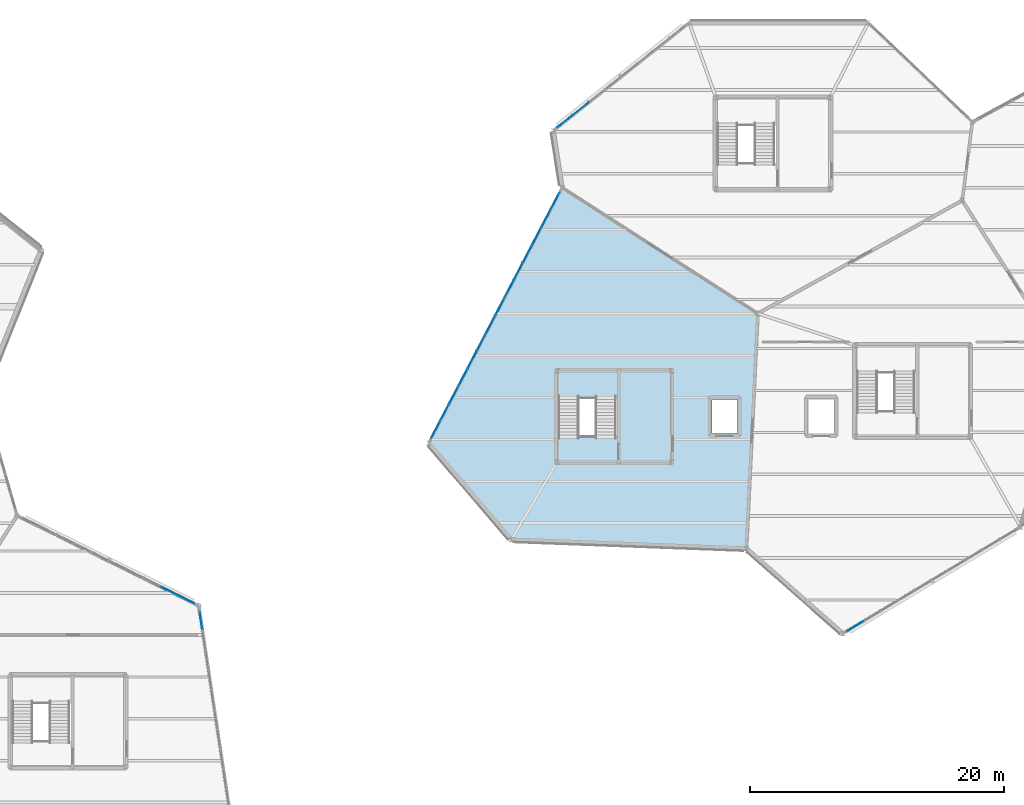
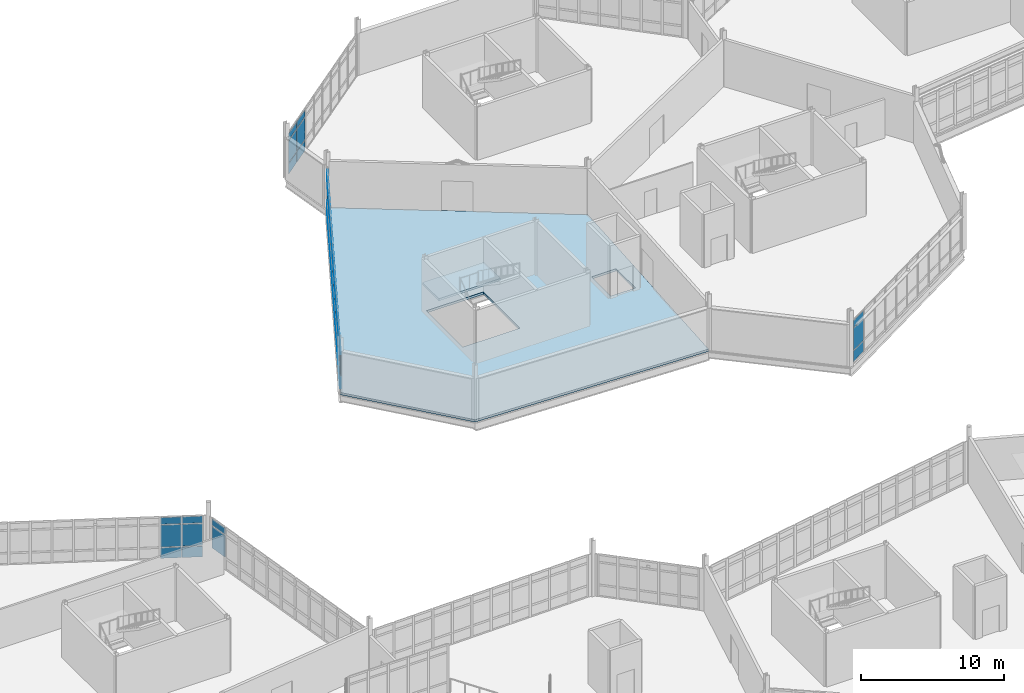
# One storey, part 78 of 114: 59 plates, 2 slabs, 6 elements without a shape of their own.
"""IFC4 building model written with IfcOpenShell, lengths in metres."""

from ifc_helpers import new_model, si_unit, direction, frame, origin, origin_2d, place, context, subcontext, project, spatial, polyline, rectangle, outline, extrude, material, layer, layer_set, type_object, element, aggregate, save


model = new_model("IFC4")

# Units and contexts
model_context = context("Model", 3, precision=1e-05, world=origin(), true_north=direction((0.0, 1.0)))
body_context = subcontext(model_context, "Body", "Model", "MODEL_VIEW")
ifc_project = project(units=[si_unit("LENGTHUNIT", "METRE"), si_unit("AREAUNIT", "SQUARE_METRE"), si_unit("VOLUMEUNIT", "CUBIC_METRE"), si_unit("PLANEANGLEUNIT", "RADIAN"), si_unit("MASSUNIT", "GRAM", prefix="KILO")], contexts=[model_context])

# Site, building, storey
site_placement = place(None, origin())
site = spatial("IfcSite", under=ifc_project, at=site_placement, CompositionType="ELEMENT")
building_placement = place(site_placement, origin())
building = spatial("IfcBuilding", under=site, at=building_placement, Name="Tameran Prism Museum", CompositionType="ELEMENT")
storey_placement = place(building_placement, frame((0.0, 0.0, 10.199951171875)))
storey = spatial("IfcBuildingStorey", under=building, at=storey_placement, Name="L02", CompositionType="ELEMENT", Elevation=10.199951171875)

# Curtain wall, plates
ifc_material_1 = material(Name="Anodised Aluminium 6063-T6 and Cyclone Solar Glass", Category="aluminium")
curtain_wall_type_1 = type_object("IfcCurtainWallType", Name="CW-FAC-1563x362", PredefinedType="USERDEFINED", material=ifc_material_1)
curtain_wall_1_placement = place(storey_placement, origin())
curtain_wall_1 = element("IfcCurtainWall", 1, at=curtain_wall_1_placement, inside=storey, type_object=curtain_wall_type_1, Name="Unitised Curtain Wall CW-099", ObjectType="UNITISED CURTAIN WALL", PredefinedType="USERDEFINED")
ifc_material_2 = material(Name="Low-E Laminated Solar Glass", Category="glass")
ifc_layer_1 = layer(ifc_material_2, 0.028076171875)
ifc_layer_set_1 = layer_set([ifc_layer_1])
plate_type_1 = type_object("IfcPlateType", Name="CW-PNL-G28", PredefinedType="CURTAIN_PANEL", material=ifc_layer_set_1)
plate_1_placement = place(storey_placement, frame((126.48388671875, 64.490478515625, 0.06494140625), z_axis=(0.0, 0.0, 1.0), x_axis=(-0.857492925713, -0.514495755426, 0.0)))
plate_1 = element("IfcPlate", 2, at=plate_1_placement, type_object=plate_type_1, Name="CW-099 panel 10.1", PredefinedType="CURTAIN_PANEL", context=body_context, shape_type="SweptSolid", body=[
    extrude(rectangle(XDim=1.465087890625, YDim=0.028076171875, at=origin_2d()), origin(), (0.0, 0.0, 1.0), 0.902587890625),
])
plate_2_placement = place(storey_placement, frame((126.48388671875, 64.490478515625, 1.032470703125), z_axis=(0.0, 0.0, 1.0), x_axis=(-0.857492925713, -0.514495755426, 0.0)))
plate_2 = element("IfcPlate", 3, at=plate_2_placement, type_object=plate_type_1, Name="CW-099 panel 10.2", PredefinedType="CURTAIN_PANEL", context=body_context, shape_type="SweptSolid", body=[
    extrude(rectangle(XDim=1.465087890625, YDim=0.028076171875, at=origin_2d()), origin(), (0.0, 0.0, 1.0), 1.875),
])
plate_3_placement = place(storey_placement, frame((126.48388671875, 64.490478515625, 2.97265625), z_axis=(0.0, 0.0, 1.0), x_axis=(-0.857492925713, -0.514495755426, 0.0)))
plate_3 = element("IfcPlate", 4, at=plate_3_placement, type_object=plate_type_1, Name="CW-099 panel 10.3", PredefinedType="CURTAIN_PANEL", context=body_context, shape_type="SweptSolid", body=[
    extrude(rectangle(XDim=1.465087890625, YDim=0.028076171875, at=origin_2d()), origin(), (0.0, 0.0, 1.0), 0.58251953125),
])
aggregate(curtain_wall_1, [plate_1, plate_2, plate_3])

ifc_material_3 = material(Name="Anodised Aluminium 6063-T6 and Cyclone Solar Glass", Category="aluminium")
curtain_wall_type_2 = type_object("IfcCurtainWallType", Name="CW-FAC-1734x362", PredefinedType="USERDEFINED", material=ifc_material_3)
curtain_wall_2_placement = place(storey_placement, origin())
curtain_wall_2 = element("IfcCurtainWall", 5, at=curtain_wall_2_placement, inside=storey, type_object=curtain_wall_type_2, Name="Unitised Curtain Wall CW-114", ObjectType="UNITISED CURTAIN WALL", PredefinedType="USERDEFINED")
plate_4_placement = place(storey_placement, frame((74.97265625, 64.954833984375, 1.0400390625), z_axis=(0.0, 0.0, 1.0), x_axis=(0.149166532852, -0.988812088052, 0.0)))
plate_4 = element("IfcPlate", 6, at=plate_4_placement, type_object=plate_type_1, Name="CW-114 panel 1.2", PredefinedType="CURTAIN_PANEL", context=body_context, shape_type="SweptSolid", body=[
    extrude(rectangle(XDim=1.45654296875, YDim=0.028076171875, at=origin_2d()), origin(), (0.0, 0.0, 1.0), 1.860107421875),
])
plate_5_placement = place(storey_placement, frame((74.97265625, 64.954833984375, 2.97998046875), z_axis=(0.0, 0.0, 1.0), x_axis=(0.149166532852, -0.988812088052, 0.0)))
plate_5 = element("IfcPlate", 7, at=plate_5_placement, type_object=plate_type_1, Name="CW-114 panel 1.3", PredefinedType="CURTAIN_PANEL", context=body_context, shape_type="SweptSolid", body=[
    extrude(rectangle(XDim=1.45654296875, YDim=0.028076171875, at=origin_2d()), origin(), (0.0, 0.0, 1.0), 0.56005859375),
])
aggregate(curtain_wall_2, [plate_4, plate_5])

ifc_material_4 = material(Name="Anodised Aluminium 6063-T6 and Cyclone Solar Glass", Category="aluminium")
curtain_wall_type_3 = type_object("IfcCurtainWallType", Name="CW-FAC-2192x362", PredefinedType="USERDEFINED", material=ifc_material_4)
curtain_wall_3_placement = place(storey_placement, origin())
curtain_wall_3 = element("IfcCurtainWall", 8, at=curtain_wall_3_placement, inside=storey, type_object=curtain_wall_type_3, Name="Unitised Curtain Wall CW-098", ObjectType="UNITISED CURTAIN WALL", PredefinedType="USERDEFINED")
ifc_material_5 = material(Name="Cyclone Laminated Solar Glass", Category="glass")
ifc_layer_2 = layer(ifc_material_5, 0.031982421875)
ifc_layer_set_2 = layer_set([ifc_layer_2])
plate_type_2 = type_object("IfcPlateType", Name="CW-PNL-G32", PredefinedType="CURTAIN_PANEL", material=ifc_layer_set_2)
plate_6_placement = place(storey_placement, frame((93.43359375, 79.921630859375, 0.080078125), z_axis=(0.0, 0.0, 1.0), x_axis=(0.463002540551, 0.886356952612, 0.0)))
plate_6 = element("IfcPlate", 9, at=plate_6_placement, type_object=plate_type_2, Name="CW-098 panel 1.1", PredefinedType="CURTAIN_PANEL", context=body_context, shape_type="SweptSolid", body=[
    extrude(rectangle(XDim=1.445556640625, YDim=0.031982421875, at=origin_2d()), origin(), (0.0, 0.0, 1.0), 0.8798828125),
])
plate_7_placement = place(storey_placement, frame((93.43359375, 79.921630859375, 1.0400390625), z_axis=(0.0, 0.0, 1.0), x_axis=(0.463002540551, 0.886356952612, 0.0)))
plate_7 = element("IfcPlate", 10, at=plate_7_placement, type_object=plate_type_2, Name="CW-098 panel 1.2", PredefinedType="CURTAIN_PANEL", context=body_context, shape_type="SweptSolid", body=[
    extrude(rectangle(XDim=1.445556640625, YDim=0.031982421875, at=origin_2d()), origin(), (0.0, 0.0, 1.0), 1.860107421875),
])
plate_8_placement = place(storey_placement, frame((93.43359375, 79.921630859375, 2.97998046875), z_axis=(0.0, 0.0, 1.0), x_axis=(0.463002540551, 0.886356952612, 0.0)))
plate_8 = element("IfcPlate", 11, at=plate_8_placement, type_object=plate_type_2, Name="CW-098 panel 1.3", PredefinedType="CURTAIN_PANEL", context=body_context, shape_type="SweptSolid", body=[
    extrude(rectangle(XDim=1.445556640625, YDim=0.031982421875, at=origin_2d()), origin(), (0.0, 0.0, 1.0), 0.56005859375),
])
plate_9_placement = place(storey_placement, frame((94.149169921875, 81.29150390625, 0.080078125), z_axis=(0.0, 0.0, 1.0), x_axis=(0.463002540551, 0.886356952612, 0.0)))
plate_9 = element("IfcPlate", 12, at=plate_9_placement, type_object=plate_type_2, Name="CW-098 panel 2.1", PredefinedType="CURTAIN_PANEL", context=body_context, shape_type="SweptSolid", body=[
    extrude(rectangle(XDim=1.485595703125, YDim=0.031982421875, at=origin_2d()), origin(), (0.0, 0.0, 1.0), 0.8798828125),
])
plate_10_placement = place(storey_placement, frame((94.149169921875, 81.29150390625, 1.0400390625), z_axis=(0.0, 0.0, 1.0), x_axis=(0.463002540551, 0.886356952612, 0.0)))
plate_10 = element("IfcPlate", 13, at=plate_10_placement, type_object=plate_type_2, Name="CW-098 panel 2.2", PredefinedType="CURTAIN_PANEL", context=body_context, shape_type="SweptSolid", body=[
    extrude(rectangle(XDim=1.485595703125, YDim=0.031982421875, at=origin_2d()), origin(), (0.0, 0.0, 1.0), 1.860107421875),
])
plate_11_placement = place(storey_placement, frame((94.149169921875, 81.29150390625, 2.97998046875), z_axis=(0.0, 0.0, 1.0), x_axis=(0.463002540551, 0.886356952612, 0.0)))
plate_11 = element("IfcPlate", 14, at=plate_11_placement, type_object=plate_type_2, Name="CW-098 panel 2.3", PredefinedType="CURTAIN_PANEL", context=body_context, shape_type="SweptSolid", body=[
    extrude(rectangle(XDim=1.485595703125, YDim=0.031982421875, at=origin_2d()), origin(), (0.0, 0.0, 1.0), 0.56005859375),
])
plate_12_placement = place(storey_placement, frame((94.8740234375, 82.67919921875, 0.080078125), z_axis=(0.0, 0.0, 1.0), x_axis=(0.463002540551, 0.886356952612, 0.0)))
plate_12 = element("IfcPlate", 15, at=plate_12_placement, type_object=plate_type_2, Name="CW-098 panel 3.1", PredefinedType="CURTAIN_PANEL", context=body_context, shape_type="SweptSolid", body=[
    extrude(rectangle(XDim=1.485595703125, YDim=0.031982421875, at=origin_2d()), origin(), (0.0, 0.0, 1.0), 0.8798828125),
])
plate_13_placement = place(storey_placement, frame((94.8740234375, 82.67919921875, 1.0400390625), z_axis=(0.0, 0.0, 1.0), x_axis=(0.463002540551, 0.886356952612, 0.0)))
plate_13 = element("IfcPlate", 16, at=plate_13_placement, type_object=plate_type_2, Name="CW-098 panel 3.2", PredefinedType="CURTAIN_PANEL", context=body_context, shape_type="SweptSolid", body=[
    extrude(rectangle(XDim=1.485595703125, YDim=0.031982421875, at=origin_2d()), origin(), (0.0, 0.0, 1.0), 1.860107421875),
])
plate_14_placement = place(storey_placement, frame((94.8740234375, 82.67919921875, 2.97998046875), z_axis=(0.0, 0.0, 1.0), x_axis=(0.463002540551, 0.886356952612, 0.0)))
plate_14 = element("IfcPlate", 17, at=plate_14_placement, type_object=plate_type_2, Name="CW-098 panel 3.3", PredefinedType="CURTAIN_PANEL", context=body_context, shape_type="SweptSolid", body=[
    extrude(rectangle(XDim=1.485595703125, YDim=0.031982421875, at=origin_2d()), origin(), (0.0, 0.0, 1.0), 0.56005859375),
])
plate_15_placement = place(storey_placement, frame((95.59912109375, 84.066650390625, 0.080078125), z_axis=(0.0, 0.0, 1.0), x_axis=(0.463002540551, 0.886356952612, 0.0)))
plate_15 = element("IfcPlate", 18, at=plate_15_placement, type_object=plate_type_2, Name="CW-098 panel 4.1", PredefinedType="CURTAIN_PANEL", context=body_context, shape_type="SweptSolid", body=[
    extrude(rectangle(XDim=1.485595703125, YDim=0.031982421875, at=origin_2d()), origin(), (0.0, 0.0, 1.0), 0.8798828125),
])
plate_16_placement = place(storey_placement, frame((95.59912109375, 84.066650390625, 1.0400390625), z_axis=(0.0, 0.0, 1.0), x_axis=(0.463002540551, 0.886356952612, 0.0)))
plate_16 = element("IfcPlate", 19, at=plate_16_placement, type_object=plate_type_2, Name="CW-098 panel 4.2", PredefinedType="CURTAIN_PANEL", context=body_context, shape_type="SweptSolid", body=[
    extrude(rectangle(XDim=1.485595703125, YDim=0.031982421875, at=origin_2d()), origin(), (0.0, 0.0, 1.0), 1.860107421875),
])
plate_17_placement = place(storey_placement, frame((95.59912109375, 84.066650390625, 2.97998046875), z_axis=(0.0, 0.0, 1.0), x_axis=(0.463002540551, 0.886356952612, 0.0)))
plate_17 = element("IfcPlate", 20, at=plate_17_placement, type_object=plate_type_2, Name="CW-098 panel 4.3", PredefinedType="CURTAIN_PANEL", context=body_context, shape_type="SweptSolid", body=[
    extrude(rectangle(XDim=1.485595703125, YDim=0.031982421875, at=origin_2d()), origin(), (0.0, 0.0, 1.0), 0.56005859375),
])
plate_18_placement = place(storey_placement, frame((96.323974609375, 85.454345703125, 0.080078125), z_axis=(0.0, 0.0, 1.0), x_axis=(0.463002540551, 0.886356952612, 0.0)))
plate_18 = element("IfcPlate", 21, at=plate_18_placement, type_object=plate_type_2, Name="CW-098 panel 5.1", PredefinedType="CURTAIN_PANEL", context=body_context, shape_type="SweptSolid", body=[
    extrude(rectangle(XDim=1.485595703125, YDim=0.031982421875, at=origin_2d()), origin(), (0.0, 0.0, 1.0), 0.8798828125),
])
plate_19_placement = place(storey_placement, frame((96.323974609375, 85.454345703125, 1.0400390625), z_axis=(0.0, 0.0, 1.0), x_axis=(0.463002540551, 0.886356952612, 0.0)))
plate_19 = element("IfcPlate", 22, at=plate_19_placement, type_object=plate_type_2, Name="CW-098 panel 5.2", PredefinedType="CURTAIN_PANEL", context=body_context, shape_type="SweptSolid", body=[
    extrude(rectangle(XDim=1.485595703125, YDim=0.031982421875, at=origin_2d()), origin(), (0.0, 0.0, 1.0), 1.860107421875),
])
plate_20_placement = place(storey_placement, frame((96.323974609375, 85.454345703125, 2.97998046875), z_axis=(0.0, 0.0, 1.0), x_axis=(0.463002540551, 0.886356952612, 0.0)))
plate_20 = element("IfcPlate", 23, at=plate_20_placement, type_object=plate_type_2, Name="CW-098 panel 5.3", PredefinedType="CURTAIN_PANEL", context=body_context, shape_type="SweptSolid", body=[
    extrude(rectangle(XDim=1.485595703125, YDim=0.031982421875, at=origin_2d()), origin(), (0.0, 0.0, 1.0), 0.56005859375),
])
plate_21_placement = place(storey_placement, frame((97.048828125, 86.842041015625, 0.080078125), z_axis=(0.0, 0.0, 1.0), x_axis=(0.463002540551, 0.886356952612, 0.0)))
plate_21 = element("IfcPlate", 24, at=plate_21_placement, type_object=plate_type_2, Name="CW-098 panel 6.1", PredefinedType="CURTAIN_PANEL", context=body_context, shape_type="SweptSolid", body=[
    extrude(rectangle(XDim=1.485595703125, YDim=0.031982421875, at=origin_2d()), origin(), (0.0, 0.0, 1.0), 0.8798828125),
])
plate_22_placement = place(storey_placement, frame((97.048828125, 86.842041015625, 1.0400390625), z_axis=(0.0, 0.0, 1.0), x_axis=(0.463002540551, 0.886356952612, 0.0)))
plate_22 = element("IfcPlate", 25, at=plate_22_placement, type_object=plate_type_2, Name="CW-098 panel 6.2", PredefinedType="CURTAIN_PANEL", context=body_context, shape_type="SweptSolid", body=[
    extrude(rectangle(XDim=1.485595703125, YDim=0.031982421875, at=origin_2d()), origin(), (0.0, 0.0, 1.0), 1.860107421875),
])
plate_23_placement = place(storey_placement, frame((97.048828125, 86.842041015625, 2.97998046875), z_axis=(0.0, 0.0, 1.0), x_axis=(0.463002540551, 0.886356952612, 0.0)))
plate_23 = element("IfcPlate", 26, at=plate_23_placement, type_object=plate_type_2, Name="CW-098 panel 6.3", PredefinedType="CURTAIN_PANEL", context=body_context, shape_type="SweptSolid", body=[
    extrude(rectangle(XDim=1.485595703125, YDim=0.031982421875, at=origin_2d()), origin(), (0.0, 0.0, 1.0), 0.56005859375),
])
plate_24_placement = place(storey_placement, frame((97.773681640625, 88.229736328125, 0.080078125), z_axis=(0.0, 0.0, 1.0), x_axis=(0.463002540551, 0.886356952612, 0.0)))
plate_24 = element("IfcPlate", 27, at=plate_24_placement, type_object=plate_type_2, Name="CW-098 panel 7.1", PredefinedType="CURTAIN_PANEL", context=body_context, shape_type="SweptSolid", body=[
    extrude(rectangle(XDim=1.485595703125, YDim=0.031982421875, at=origin_2d()), origin(), (0.0, 0.0, 1.0), 0.8798828125),
])
plate_25_placement = place(storey_placement, frame((97.773681640625, 88.229736328125, 1.0400390625), z_axis=(0.0, 0.0, 1.0), x_axis=(0.463002540551, 0.886356952612, 0.0)))
plate_25 = element("IfcPlate", 28, at=plate_25_placement, type_object=plate_type_2, Name="CW-098 panel 7.2", PredefinedType="CURTAIN_PANEL", context=body_context, shape_type="SweptSolid", body=[
    extrude(rectangle(XDim=1.485595703125, YDim=0.031982421875, at=origin_2d()), origin(), (0.0, 0.0, 1.0), 1.860107421875),
])
plate_26_placement = place(storey_placement, frame((97.773681640625, 88.229736328125, 2.97998046875), z_axis=(0.0, 0.0, 1.0), x_axis=(0.463002540551, 0.886356952612, 0.0)))
plate_26 = element("IfcPlate", 29, at=plate_26_placement, type_object=plate_type_2, Name="CW-098 panel 7.3", PredefinedType="CURTAIN_PANEL", context=body_context, shape_type="SweptSolid", body=[
    extrude(rectangle(XDim=1.485595703125, YDim=0.031982421875, at=origin_2d()), origin(), (0.0, 0.0, 1.0), 0.56005859375),
])
plate_27_placement = place(storey_placement, frame((98.49853515625, 89.617431640625, 0.080078125), z_axis=(0.0, 0.0, 1.0), x_axis=(0.463002540551, 0.886356952612, 0.0)))
plate_27 = element("IfcPlate", 30, at=plate_27_placement, type_object=plate_type_2, Name="CW-098 panel 8.1", PredefinedType="CURTAIN_PANEL", context=body_context, shape_type="SweptSolid", body=[
    extrude(rectangle(XDim=1.485595703125, YDim=0.031982421875, at=origin_2d()), origin(), (0.0, 0.0, 1.0), 0.8798828125),
])
plate_28_placement = place(storey_placement, frame((98.49853515625, 89.617431640625, 1.0400390625), z_axis=(0.0, 0.0, 1.0), x_axis=(0.463002540551, 0.886356952612, 0.0)))
plate_28 = element("IfcPlate", 31, at=plate_28_placement, type_object=plate_type_2, Name="CW-098 panel 8.2", PredefinedType="CURTAIN_PANEL", context=body_context, shape_type="SweptSolid", body=[
    extrude(rectangle(XDim=1.485595703125, YDim=0.031982421875, at=origin_2d()), origin(), (0.0, 0.0, 1.0), 1.860107421875),
])
plate_29_placement = place(storey_placement, frame((98.49853515625, 89.617431640625, 2.97998046875), z_axis=(0.0, 0.0, 1.0), x_axis=(0.463002540551, 0.886356952612, 0.0)))
plate_29 = element("IfcPlate", 32, at=plate_29_placement, type_object=plate_type_2, Name="CW-098 panel 8.3", PredefinedType="CURTAIN_PANEL", context=body_context, shape_type="SweptSolid", body=[
    extrude(rectangle(XDim=1.485595703125, YDim=0.031982421875, at=origin_2d()), origin(), (0.0, 0.0, 1.0), 0.56005859375),
])
plate_30_placement = place(storey_placement, frame((99.223388671875, 91.0048828125, 0.080078125), z_axis=(0.0, 0.0, 1.0), x_axis=(0.463002540551, 0.886356952612, 0.0)))
plate_30 = element("IfcPlate", 33, at=plate_30_placement, type_object=plate_type_2, Name="CW-098 panel 9.1", PredefinedType="CURTAIN_PANEL", context=body_context, shape_type="SweptSolid", body=[
    extrude(rectangle(XDim=1.485595703125, YDim=0.031982421875, at=origin_2d()), origin(), (0.0, 0.0, 1.0), 0.8798828125),
])
plate_31_placement = place(storey_placement, frame((99.223388671875, 91.0048828125, 1.0400390625), z_axis=(0.0, 0.0, 1.0), x_axis=(0.463002540551, 0.886356952612, 0.0)))
plate_31 = element("IfcPlate", 34, at=plate_31_placement, type_object=plate_type_2, Name="CW-098 panel 9.2", PredefinedType="CURTAIN_PANEL", context=body_context, shape_type="SweptSolid", body=[
    extrude(rectangle(XDim=1.485595703125, YDim=0.031982421875, at=origin_2d()), origin(), (0.0, 0.0, 1.0), 1.860107421875),
])
plate_32_placement = place(storey_placement, frame((99.223388671875, 91.0048828125, 2.97998046875), z_axis=(0.0, 0.0, 1.0), x_axis=(0.463002540551, 0.886356952612, 0.0)))
plate_32 = element("IfcPlate", 35, at=plate_32_placement, type_object=plate_type_2, Name="CW-098 panel 9.3", PredefinedType="CURTAIN_PANEL", context=body_context, shape_type="SweptSolid", body=[
    extrude(rectangle(XDim=1.485595703125, YDim=0.031982421875, at=origin_2d()), origin(), (0.0, 0.0, 1.0), 0.56005859375),
])
plate_33_placement = place(storey_placement, frame((99.9482421875, 92.392578125, 0.080078125), z_axis=(0.0, 0.0, 1.0), x_axis=(0.463002540551, 0.886356952612, 0.0)))
plate_33 = element("IfcPlate", 36, at=plate_33_placement, type_object=plate_type_2, Name="CW-098 panel 10.1", PredefinedType="CURTAIN_PANEL", context=body_context, shape_type="SweptSolid", body=[
    extrude(rectangle(XDim=1.485595703125, YDim=0.031982421875, at=origin_2d()), origin(), (0.0, 0.0, 1.0), 0.8798828125),
])
plate_34_placement = place(storey_placement, frame((99.9482421875, 92.392578125, 1.0400390625), z_axis=(0.0, 0.0, 1.0), x_axis=(0.463002540551, 0.886356952612, 0.0)))
plate_34 = element("IfcPlate", 37, at=plate_34_placement, type_object=plate_type_2, Name="CW-098 panel 10.2", PredefinedType="CURTAIN_PANEL", context=body_context, shape_type="SweptSolid", body=[
    extrude(rectangle(XDim=1.485595703125, YDim=0.031982421875, at=origin_2d()), origin(), (0.0, 0.0, 1.0), 1.860107421875),
])
plate_35_placement = place(storey_placement, frame((99.9482421875, 92.392578125, 2.97998046875), z_axis=(0.0, 0.0, 1.0), x_axis=(0.463002540551, 0.886356952612, 0.0)))
plate_35 = element("IfcPlate", 38, at=plate_35_placement, type_object=plate_type_2, Name="CW-098 panel 10.3", PredefinedType="CURTAIN_PANEL", context=body_context, shape_type="SweptSolid", body=[
    extrude(rectangle(XDim=1.485595703125, YDim=0.031982421875, at=origin_2d()), origin(), (0.0, 0.0, 1.0), 0.56005859375),
])
plate_36_placement = place(storey_placement, frame((100.673095703125, 93.7802734375, 0.080078125), z_axis=(0.0, 0.0, 1.0), x_axis=(0.463002540551, 0.886356952612, 0.0)))
plate_36 = element("IfcPlate", 39, at=plate_36_placement, type_object=plate_type_2, Name="CW-098 panel 11.1", PredefinedType="CURTAIN_PANEL", context=body_context, shape_type="SweptSolid", body=[
    extrude(rectangle(XDim=1.485595703125, YDim=0.031982421875, at=origin_2d()), origin(), (0.0, 0.0, 1.0), 0.8798828125),
])
plate_37_placement = place(storey_placement, frame((100.673095703125, 93.7802734375, 1.0400390625), z_axis=(0.0, 0.0, 1.0), x_axis=(0.463002540551, 0.886356952612, 0.0)))
plate_37 = element("IfcPlate", 40, at=plate_37_placement, type_object=plate_type_2, Name="CW-098 panel 11.2", PredefinedType="CURTAIN_PANEL", context=body_context, shape_type="SweptSolid", body=[
    extrude(rectangle(XDim=1.485595703125, YDim=0.031982421875, at=origin_2d()), origin(), (0.0, 0.0, 1.0), 1.860107421875),
])
plate_38_placement = place(storey_placement, frame((100.673095703125, 93.7802734375, 2.97998046875), z_axis=(0.0, 0.0, 1.0), x_axis=(0.463002540551, 0.886356952612, 0.0)))
plate_38 = element("IfcPlate", 41, at=plate_38_placement, type_object=plate_type_2, Name="CW-098 panel 11.3", PredefinedType="CURTAIN_PANEL", context=body_context, shape_type="SweptSolid", body=[
    extrude(rectangle(XDim=1.485595703125, YDim=0.031982421875, at=origin_2d()), origin(), (0.0, 0.0, 1.0), 0.56005859375),
])
plate_39_placement = place(storey_placement, frame((101.39794921875, 95.16796875, 0.080078125), z_axis=(0.0, 0.0, 1.0), x_axis=(0.463002540551, 0.886356952612, 0.0)))
plate_39 = element("IfcPlate", 42, at=plate_39_placement, type_object=plate_type_2, Name="CW-098 panel 12.1", PredefinedType="CURTAIN_PANEL", context=body_context, shape_type="SweptSolid", body=[
    extrude(rectangle(XDim=1.485595703125, YDim=0.031982421875, at=origin_2d()), origin(), (0.0, 0.0, 1.0), 0.8798828125),
])
plate_40_placement = place(storey_placement, frame((101.39794921875, 95.16796875, 1.0400390625), z_axis=(0.0, 0.0, 1.0), x_axis=(0.463002540551, 0.886356952612, 0.0)))
plate_40 = element("IfcPlate", 43, at=plate_40_placement, type_object=plate_type_2, Name="CW-098 panel 12.2", PredefinedType="CURTAIN_PANEL", context=body_context, shape_type="SweptSolid", body=[
    extrude(rectangle(XDim=1.485595703125, YDim=0.031982421875, at=origin_2d()), origin(), (0.0, 0.0, 1.0), 1.860107421875),
])
plate_41_placement = place(storey_placement, frame((101.39794921875, 95.16796875, 2.97998046875), z_axis=(0.0, 0.0, 1.0), x_axis=(0.463002540551, 0.886356952612, 0.0)))
plate_41 = element("IfcPlate", 44, at=plate_41_placement, type_object=plate_type_2, Name="CW-098 panel 12.3", PredefinedType="CURTAIN_PANEL", context=body_context, shape_type="SweptSolid", body=[
    extrude(rectangle(XDim=1.485595703125, YDim=0.031982421875, at=origin_2d()), origin(), (0.0, 0.0, 1.0), 0.56005859375),
])
plate_42_placement = place(storey_placement, frame((102.122802734375, 96.555419921875, 0.080078125), z_axis=(0.0, 0.0, 1.0), x_axis=(0.463002540551, 0.886356952612, 0.0)))
plate_42 = element("IfcPlate", 45, at=plate_42_placement, type_object=plate_type_2, Name="CW-098 panel 13.1", PredefinedType="CURTAIN_PANEL", context=body_context, shape_type="SweptSolid", body=[
    extrude(rectangle(XDim=1.485595703125, YDim=0.031982421875, at=origin_2d()), origin(), (0.0, 0.0, 1.0), 0.8798828125),
])
plate_43_placement = place(storey_placement, frame((102.122802734375, 96.555419921875, 1.0400390625), z_axis=(0.0, 0.0, 1.0), x_axis=(0.463002540551, 0.886356952612, 0.0)))
plate_43 = element("IfcPlate", 46, at=plate_43_placement, type_object=plate_type_2, Name="CW-098 panel 13.2", PredefinedType="CURTAIN_PANEL", context=body_context, shape_type="SweptSolid", body=[
    extrude(rectangle(XDim=1.485595703125, YDim=0.031982421875, at=origin_2d()), origin(), (0.0, 0.0, 1.0), 1.860107421875),
])
plate_44_placement = place(storey_placement, frame((102.122802734375, 96.555419921875, 2.97998046875), z_axis=(0.0, 0.0, 1.0), x_axis=(0.463002540551, 0.886356952612, 0.0)))
plate_44 = element("IfcPlate", 47, at=plate_44_placement, type_object=plate_type_2, Name="CW-098 panel 13.3", PredefinedType="CURTAIN_PANEL", context=body_context, shape_type="SweptSolid", body=[
    extrude(rectangle(XDim=1.485595703125, YDim=0.031982421875, at=origin_2d()), origin(), (0.0, 0.0, 1.0), 0.56005859375),
])
plate_45_placement = place(storey_placement, frame((102.83837890625, 97.925537109375, 0.080078125), z_axis=(0.0, 0.0, 1.0), x_axis=(0.463002540551, 0.886356952612, 0.0)))
plate_45 = element("IfcPlate", 48, at=plate_45_placement, type_object=plate_type_2, Name="CW-098 panel 14.1", PredefinedType="CURTAIN_PANEL", context=body_context, shape_type="SweptSolid", body=[
    extrude(rectangle(XDim=1.445556640625, YDim=0.031982421875, at=origin_2d()), origin(), (0.0, 0.0, 1.0), 0.8798828125),
])
plate_46_placement = place(storey_placement, frame((102.83837890625, 97.925537109375, 1.0400390625), z_axis=(0.0, 0.0, 1.0), x_axis=(0.463002540551, 0.886356952612, 0.0)))
plate_46 = element("IfcPlate", 49, at=plate_46_placement, type_object=plate_type_2, Name="CW-098 panel 14.2", PredefinedType="CURTAIN_PANEL", context=body_context, shape_type="SweptSolid", body=[
    extrude(rectangle(XDim=1.445556640625, YDim=0.031982421875, at=origin_2d()), origin(), (0.0, 0.0, 1.0), 1.860107421875),
])
plate_47_placement = place(storey_placement, frame((102.83837890625, 97.925537109375, 2.97998046875), z_axis=(0.0, 0.0, 1.0), x_axis=(0.463002540551, 0.886356952612, 0.0)))
plate_47 = element("IfcPlate", 50, at=plate_47_placement, type_object=plate_type_2, Name="CW-098 panel 14.3", PredefinedType="CURTAIN_PANEL", context=body_context, shape_type="SweptSolid", body=[
    extrude(rectangle(XDim=1.445556640625, YDim=0.031982421875, at=origin_2d()), origin(), (0.0, 0.0, 1.0), 0.56005859375),
])
aggregate(curtain_wall_3, [plate_6, plate_7, plate_8, plate_9, plate_10, plate_11, plate_12, plate_13, plate_14, plate_15, plate_16, plate_17, plate_18, plate_19, plate_20, plate_21, plate_22, plate_23, plate_24, plate_25, plate_26, plate_27, plate_28, plate_29, plate_30, plate_31, plate_32, plate_33, plate_34, plate_35, plate_36, plate_37, plate_38, plate_39, plate_40, plate_41, plate_42, plate_43, plate_44, plate_45, plate_46, plate_47])

ifc_material_6 = material(Name="Anodised Aluminium 6063-T6 and Cyclone Solar Glass", Category="aluminium")
curtain_wall_type_4 = type_object("IfcCurtainWallType", Name="CW-FAC-1296x362", PredefinedType="USERDEFINED", material=ifc_material_6)
curtain_wall_4_placement = place(storey_placement, origin())
curtain_wall_4 = element("IfcCurtainWall", 51, at=curtain_wall_4_placement, inside=storey, type_object=curtain_wall_type_4, Name="Unitised Curtain Wall CW-101", ObjectType="UNITISED CURTAIN WALL", PredefinedType="USERDEFINED")
plate_48_placement = place(storey_placement, frame((103.623291015625, 104.233642578125, 0.0751953125), z_axis=(0.0, 0.0, 1.0), x_axis=(0.783031296178, 0.621982306183, 0.0)))
plate_48 = element("IfcPlate", 52, at=plate_48_placement, type_object=plate_type_2, Name="CW-101 panel 1.1", PredefinedType="CURTAIN_PANEL", context=body_context, shape_type="SweptSolid", body=[
    extrude(rectangle(XDim=1.508056640625, YDim=0.031982421875, at=origin_2d()), origin(), (0.0, 0.0, 1.0), 0.887451171875),
])
plate_49_placement = place(storey_placement, frame((103.623291015625, 104.233642578125, 1.03759765625), z_axis=(0.0, 0.0, 1.0), x_axis=(0.783031296178, 0.621982306183, 0.0)))
plate_49 = element("IfcPlate", 53, at=plate_49_placement, type_object=plate_type_2, Name="CW-101 panel 1.2", PredefinedType="CURTAIN_PANEL", context=body_context, shape_type="SweptSolid", body=[
    extrude(rectangle(XDim=1.508056640625, YDim=0.031982421875, at=origin_2d()), origin(), (0.0, 0.0, 1.0), 1.864990234375),
])
plate_50_placement = place(storey_placement, frame((103.623291015625, 104.233642578125, 2.9775390625), z_axis=(0.0, 0.0, 1.0), x_axis=(0.783031296178, 0.621982306183, 0.0)))
plate_50 = element("IfcPlate", 54, at=plate_50_placement, type_object=plate_type_2, Name="CW-101 panel 1.3", PredefinedType="CURTAIN_PANEL", context=body_context, shape_type="SweptSolid", body=[
    extrude(rectangle(XDim=1.508056640625, YDim=0.031982421875, at=origin_2d()), origin(), (0.0, 0.0, 1.0), 0.5673828125),
])
plate_51_placement = place(storey_placement, frame((104.87744140625, 105.22998046875, 0.0751953125), z_axis=(0.0, 0.0, 1.0), x_axis=(0.783031296178, 0.621982306183, 0.0)))
plate_51 = element("IfcPlate", 55, at=plate_51_placement, type_object=plate_type_2, Name="CW-101 panel 2.1", PredefinedType="CURTAIN_PANEL", context=body_context, shape_type="SweptSolid", body=[
    extrude(rectangle(XDim=1.545654296875, YDim=0.031982421875, at=origin_2d()), origin(), (0.0, 0.0, 1.0), 0.887451171875),
])
plate_52_placement = place(storey_placement, frame((104.87744140625, 105.22998046875, 1.03759765625), z_axis=(0.0, 0.0, 1.0), x_axis=(0.783031296178, 0.621982306183, 0.0)))
plate_52 = element("IfcPlate", 56, at=plate_52_placement, type_object=plate_type_2, Name="CW-101 panel 2.2", PredefinedType="CURTAIN_PANEL", context=body_context, shape_type="SweptSolid", body=[
    extrude(rectangle(XDim=1.545654296875, YDim=0.031982421875, at=origin_2d()), origin(), (0.0, 0.0, 1.0), 1.864990234375),
])
plate_53_placement = place(storey_placement, frame((104.87744140625, 105.22998046875, 2.9775390625), z_axis=(0.0, 0.0, 1.0), x_axis=(0.783031296178, 0.621982306183, 0.0)))
plate_53 = element("IfcPlate", 57, at=plate_53_placement, type_object=plate_type_2, Name="CW-101 panel 2.3", PredefinedType="CURTAIN_PANEL", context=body_context, shape_type="SweptSolid", body=[
    extrude(rectangle(XDim=1.545654296875, YDim=0.031982421875, at=origin_2d()), origin(), (0.0, 0.0, 1.0), 0.5673828125),
])
aggregate(curtain_wall_4, [plate_48, plate_49, plate_50, plate_51, plate_52, plate_53])

ifc_material_7 = material(Name="Anodised Aluminium 6063-T6 and Cyclone Solar Glass", Category="aluminium")
curtain_wall_type_5 = type_object("IfcCurtainWallType", Name="CW-FAC-1520x362", PredefinedType="USERDEFINED", material=ifc_material_7)
curtain_wall_5_placement = place(storey_placement, origin())
curtain_wall_5 = element("IfcCurtainWall", 58, at=curtain_wall_5_placement, inside=storey, type_object=curtain_wall_type_5, Name="Unitised Curtain Wall CW-115", ObjectType="UNITISED CURTAIN WALL", PredefinedType="USERDEFINED")
plate_54_placement = place(storey_placement, frame((72.444091796875, 67.270263671875, 0.06494140625), z_axis=(0.0, 0.0, 1.0), x_axis=(0.895712459966, -0.444633769593, 0.0)))
plate_54 = element("IfcPlate", 59, at=plate_54_placement, type_object=plate_type_2, Name="CW-115 panel 9.1", PredefinedType="CURTAIN_PANEL", context=body_context, shape_type="SweptSolid", body=[
    extrude(rectangle(XDim=1.45556640625, YDim=0.031982421875, at=origin_2d()), origin(), (0.0, 0.0, 1.0), 0.902587890625),
])
plate_55_placement = place(storey_placement, frame((72.444091796875, 67.270263671875, 1.032470703125), z_axis=(0.0, 0.0, 1.0), x_axis=(0.895712459966, -0.444633769593, 0.0)))
plate_55 = element("IfcPlate", 60, at=plate_55_placement, type_object=plate_type_2, Name="CW-115 panel 9.2", PredefinedType="CURTAIN_PANEL", context=body_context, shape_type="SweptSolid", body=[
    extrude(rectangle(XDim=1.45556640625, YDim=0.031982421875, at=origin_2d()), origin(), (0.0, 0.0, 1.0), 1.875),
])
plate_56_placement = place(storey_placement, frame((72.444091796875, 67.270263671875, 2.97265625), z_axis=(0.0, 0.0, 1.0), x_axis=(0.895712459966, -0.444633769593, 0.0)))
plate_56 = element("IfcPlate", 61, at=plate_56_placement, type_object=plate_type_2, Name="CW-115 panel 9.3", PredefinedType="CURTAIN_PANEL", context=body_context, shape_type="SweptSolid", body=[
    extrude(rectangle(XDim=1.45556640625, YDim=0.031982421875, at=origin_2d()), origin(), (0.0, 0.0, 1.0), 0.58251953125),
])
plate_57_placement = place(storey_placement, frame((73.79150390625, 66.601318359375, 0.06494140625), z_axis=(0.0, 0.0, 1.0), x_axis=(0.895712459966, -0.444633769593, 0.0)))
plate_57 = element("IfcPlate", 62, at=plate_57_placement, type_object=plate_type_2, Name="CW-115 panel 10.1", PredefinedType="CURTAIN_PANEL", context=body_context, shape_type="SweptSolid", body=[
    extrude(rectangle(XDim=1.423095703125, YDim=0.031982421875, at=origin_2d()), origin(), (0.0, 0.0, 1.0), 0.902587890625),
])
plate_58_placement = place(storey_placement, frame((73.79150390625, 66.601318359375, 1.032470703125), z_axis=(0.0, 0.0, 1.0), x_axis=(0.895712459966, -0.444633769593, 0.0)))
plate_58 = element("IfcPlate", 63, at=plate_58_placement, type_object=plate_type_2, Name="CW-115 panel 10.2", PredefinedType="CURTAIN_PANEL", context=body_context, shape_type="SweptSolid", body=[
    extrude(rectangle(XDim=1.423095703125, YDim=0.031982421875, at=origin_2d()), origin(), (0.0, 0.0, 1.0), 1.875),
])
plate_59_placement = place(storey_placement, frame((73.79150390625, 66.601318359375, 2.97265625), z_axis=(0.0, 0.0, 1.0), x_axis=(0.895712459966, -0.444633769593, 0.0)))
plate_59 = element("IfcPlate", 64, at=plate_59_placement, type_object=plate_type_2, Name="CW-115 panel 10.3", PredefinedType="CURTAIN_PANEL", context=body_context, shape_type="SweptSolid", body=[
    extrude(rectangle(XDim=1.423095703125, YDim=0.031982421875, at=origin_2d()), origin(), (0.0, 0.0, 1.0), 0.58251953125),
])
aggregate(curtain_wall_5, [plate_54, plate_55, plate_56, plate_57, plate_58, plate_59])

# Slab
ifc_material_8 = material(Name="Concrete N32 (32 MPa)", Category="concrete")
ifc_layer_3 = layer(ifc_material_8, 0.199951171875)
ifc_layer_set_3 = layer_set([ifc_layer_3])
slab_type_1 = type_object("IfcSlabType", Name="SL-FLR-200", PredefinedType="FLOOR", material=ifc_layer_set_3)
slab_1_placement = place(storey_placement, frame((0.0, 0.0, -0.199951171875)))
element("IfcSlab", 65, at=slab_1_placement, inside=storey, type_object=slab_type_1, Name="Floor Slab FS-P01-L02", PredefinedType="FLOOR", context=body_context, shape_type="SweptSolid", body=[
    extrude(outline(polyline([(92.89990234375, 78.89990234375), (103.39990234375, 99.0), (118.800048828125, 89.10009765625), (117.89990234375, 70.60009765625), (99.39990234375, 71.300048828125), (92.89990234375, 78.89990234375)]), holes=[polyline([(117.199951171875, 79.64990234375), (117.199951171875, 82.35009765625), (115.199951171875, 82.35009765625), (115.199951171875, 79.64990234375), (117.199951171875, 79.64990234375)]), polyline([(107.719970703125, 79.43994140625), (107.719970703125, 84.550048828125), (103.10009765625, 84.550048828125), (103.10009765625, 79.43994140625), (107.719970703125, 79.43994140625)])]), origin(), (0.0, 0.0, 1.0), 0.199951171875),
])

# Stair, slab
ifc_material_9 = material(Name="Concrete N40 (40 MPa)", Category="concrete")
stair_type = type_object("IfcStairType", Name="ST-CORE-48", PredefinedType="HALF_TURN_STAIR", material=ifc_material_9)
stair_placement = place(storey_placement, origin())
stair = element("IfcStair", 66, at=stair_placement, inside=storey, type_object=stair_type, Name="Fire-Isolated Stair ST-01-L02", PredefinedType="HALF_TURN_STAIR")
ifc_material_10 = material(Name="Concrete N40 (40 MPa)", Category="concrete")
ifc_layer_4 = layer(ifc_material_10, 0.18505859375)
ifc_layer_set_4 = layer_set([ifc_layer_4])
slab_type_2 = type_object("IfcSlabType", Name="SL-LND-185", PredefinedType="LANDING", material=ifc_layer_set_4)
slab_2_placement = place(storey_placement, frame((0.0, 0.0, 2.215087890625)))
slab_2 = element("IfcSlab", 67, at=slab_2_placement, type_object=slab_type_2, Name="ST-01-L02 landing 1", PredefinedType="LANDING", context=body_context, shape_type="SweptSolid", body=[
    extrude(outline(polyline([(102.8798828125, 82.4150390625), (107.8701171875, 82.4150390625), (107.8701171875, 84.719970703125), (102.8798828125, 84.719970703125), (102.8798828125, 82.4150390625)])), origin(), (0.0, 0.0, 1.0), 0.18505859375),
])
aggregate(stair, [slab_2])

save(model, "model.ifc")
